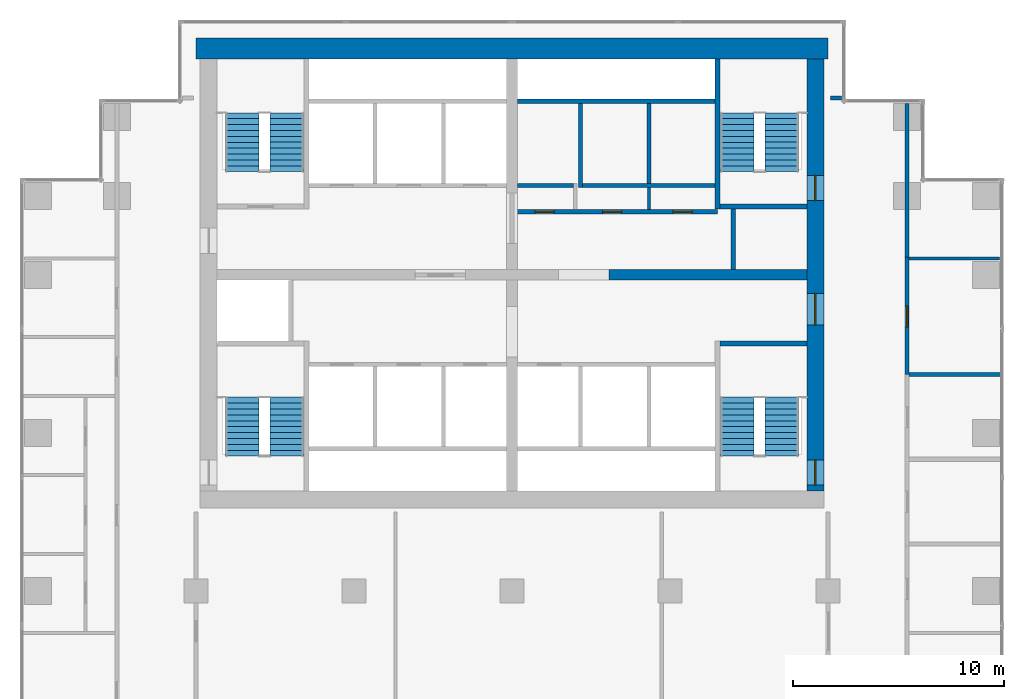
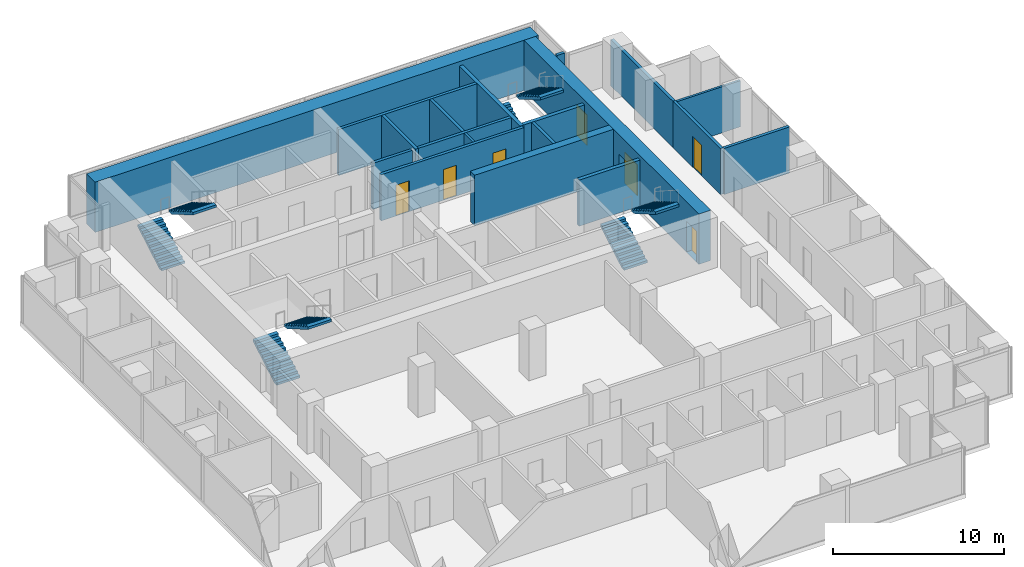
# One storey, part 9 of 10: 19 walls, 8 stair flights, 7 doors, 7 openings, 4 elements without a shape of their own.
"""IFC4 building model written with IfcOpenShell, lengths in metres."""

from ifc_helpers import new_model, si_unit, direction, frame, frame_2d, origin, place, context, subcontext, project, spatial, polyline, rectangle, outline, extrude, material, layer, layer_set, type_object, element, fill, aggregate, save


model = new_model("IFC4")

# Units and contexts
model_context = context("Model", 3, precision=1e-05, world=origin(), true_north=direction((0.0, 1.0)))
body_context = subcontext(model_context, "Body", "Model", "MODEL_VIEW")
ifc_project = project(units=[si_unit("LENGTHUNIT", "METRE"), si_unit("AREAUNIT", "SQUARE_METRE"), si_unit("VOLUMEUNIT", "CUBIC_METRE"), si_unit("PLANEANGLEUNIT", "RADIAN"), si_unit("MASSUNIT", "GRAM", prefix="KILO")], contexts=[model_context])

# Site, building, storey
site_placement = place(None, origin())
site = spatial("IfcSite", under=ifc_project, at=site_placement, CompositionType="ELEMENT")
building_placement = place(site_placement, origin())
building = spatial("IfcBuilding", under=site, at=building_placement, Name="Pilkhan Gate Tower", CompositionType="ELEMENT")
storey_placement = place(building_placement, frame((0.0, 0.0, 139.60009765625)))
storey = spatial("IfcBuildingStorey", under=building, at=storey_placement, Name="L35", CompositionType="ELEMENT", Elevation=139.60009765625)

# Wall
ifc_material_1 = material(Name="Concrete C60/75", Category="concrete")
ifc_layer_1 = layer(ifc_material_1, 1.0)
ifc_layer_set_1 = layer_set([ifc_layer_1], Name="Core wall CW1000 C60/75")
wall_type_1 = type_object("IfcWallType", Name="Core wall CW1000 C60/75", PredefinedType="SHEAR", material=ifc_layer_set_1)
wall_1_placement = place(storey_placement, frame((90.0, 93.25, 0.0), z_axis=(0.0, 0.0, 1.0), x_axis=(-1.0, 0.0, 0.0)))
element("IfcWall", 1, at=wall_1_placement, inside=storey, type_object=wall_type_1, Name="Core wall N L35", PredefinedType="SHEAR", context=body_context, shape_type="SweptSolid", body=[
    extrude(rectangle(XDim=30.0, YDim=1.0, at=frame_2d((15.0, 0.0))), origin(), (0.0, 0.0, 1.0), 3.599853515625),
])

# Wall, openings, doors
ifc_layer_2 = layer(ifc_material_1, 0.800048828125)
ifc_layer_set_2 = layer_set([ifc_layer_2], Name="Core wall CW800 C60/75")
wall_type_2 = type_object("IfcWallType", Name="Core wall CW800 C60/75", PredefinedType="SHEAR", material=ifc_layer_set_2)
wall_2_placement = place(storey_placement, frame((89.39990234375, 72.25, 0.0), z_axis=(0.0, 0.0, 1.0), x_axis=(0.0, 1.0, 0.0)))
wall_2 = element("IfcWall", 2, at=wall_2_placement, inside=storey, type_object=wall_type_2, Name="Core wall E L35", PredefinedType="SHEAR", context=body_context, shape_type="SweptSolid", body=[
    extrude(rectangle(XDim=20.5, YDim=0.800048828125, at=frame_2d((10.25, 0.0))), origin(), (0.0, 0.0, 1.0), 3.599853515625),
])
opening_1_placement = place(wall_2_placement, frame((0.27490234375, 0.0, 0.0)))
opening_1 = element("IfcOpeningElement", 3, at=opening_1_placement, cuts=wall_2, Name="Opening L35-03", PredefinedType="OPENING", context=body_context, shape_type="SweptSolid", body=[
    extrude(rectangle(XDim=1.199951171875, YDim=2.199951171875, at=frame_2d((0.60009765625, 1.10009765625))), frame((0.0, 0.409912109375, 0.0), z_axis=(0.0, -1.0, 0.0), x_axis=(1.0, 0.0, 0.0)), (0.0, 0.0, 1.0), 0.820068359375),
])
opening_2_placement = place(wall_2_placement, frame((13.77490234375, 0.0, 0.0)))
opening_2 = element("IfcOpeningElement", 4, at=opening_2_placement, cuts=wall_2, Name="Opening L35-05", PredefinedType="OPENING", context=body_context, shape_type="SweptSolid", body=[
    extrude(rectangle(XDim=1.199951171875, YDim=2.199951171875, at=frame_2d((0.60009765625, 1.10009765625))), frame((0.0, 0.409912109375, 0.0), z_axis=(0.0, -1.0, 0.0), x_axis=(1.0, 0.0, 0.0)), (0.0, 0.0, 1.0), 0.820068359375),
])
opening_3_placement = place(wall_2_placement, frame((7.875, 0.0, 0.0)))
opening_3 = element("IfcOpeningElement", 5, at=opening_3_placement, cuts=wall_2, Name="Opening L35-11", PredefinedType="OPENING", context=body_context, shape_type="SweptSolid", body=[
    extrude(rectangle(XDim=1.5, YDim=2.199951171875, at=frame_2d((0.75, 1.10009765625))), frame((0.0, 0.409912109375, 0.0), z_axis=(0.0, -1.0, 0.0), x_axis=(1.0, 0.0, 0.0)), (0.0, 0.0, 1.0), 0.820068359375),
])
ifc_material_2 = material(Name="Steel framed glazed door, 60 minute fire resisting", Category="steel")
door_type_1 = type_object("IfcDoorType", Name="Lobby door D09 1500x2200", OperationType="DOUBLE_DOOR_SINGLE_SWING", PredefinedType="DOOR", material=ifc_material_2)
door_1_placement = place(opening_3_placement, origin())
door_1 = element("IfcDoor", 6, at=door_1_placement, inside=storey, type_object=door_type_1, Name="Core door", OperationType="DOUBLE_DOOR_SINGLE_SWING", OverallHeight=2.199951171875, OverallWidth=1.5, PredefinedType="DOOR", context=body_context, shape_type="SweptSolid", body=[
    extrude(rectangle(XDim=1.5, YDim=2.199951171875, at=frame_2d((0.75, 1.10009765625))), frame((0.0, 0.02490234375, 0.0), z_axis=(0.0, -1.0, 0.0), x_axis=(1.0, 0.0, 0.0)), (0.0, 0.0, 1.0), 0.050048828125),
])
fill(opening_3, door_1)
ifc_material_3 = material(Name="Steel door, 120 minute fire resisting, panic bar", Category="steel")
door_type_2 = type_object("IfcDoorType", Name="Stair door D11 1200x2200", OperationType="SINGLE_SWING_LEFT", PredefinedType="DOOR", material=ifc_material_3)
door_2_placement = place(opening_1_placement, origin())
door_2 = element("IfcDoor", 7, at=door_2_placement, inside=storey, type_object=door_type_2, Name="Stair ST1 door", OperationType="SINGLE_SWING_RIGHT", OverallHeight=2.199951171875, OverallWidth=1.199951171875, PredefinedType="DOOR", context=body_context, shape_type="SweptSolid", body=[
    extrude(rectangle(XDim=1.199951171875, YDim=2.199951171875, at=frame_2d((0.60009765625, 1.10009765625))), frame((0.0, 0.02490234375, 0.0), z_axis=(0.0, -1.0, 0.0), x_axis=(1.0, 0.0, 0.0)), (0.0, 0.0, 1.0), 0.050048828125),
])
fill(opening_1, door_2)
door_3_placement = place(opening_2_placement, origin())
door_3 = element("IfcDoor", 8, at=door_3_placement, inside=storey, type_object=door_type_2, Name="Stair ST4 door", OperationType="SINGLE_SWING_RIGHT", OverallHeight=2.199951171875, OverallWidth=1.199951171875, PredefinedType="DOOR", context=body_context, shape_type="SweptSolid", body=[
    extrude(rectangle(XDim=1.199951171875, YDim=2.199951171875, at=frame_2d((0.60009765625, 1.10009765625))), frame((0.0, 0.02490234375, 0.0), z_axis=(0.0, -1.0, 0.0), x_axis=(1.0, 0.0, 0.0)), (0.0, 0.0, 1.0), 0.050048828125),
])
fill(opening_2, door_3)

# Wall
ifc_material_4 = material(Name="Dense blockwork", Category="masonry")
ifc_layer_3 = layer(ifc_material_4, 0.199951171875)
ifc_layer_set_3 = layer_set([ifc_layer_3], Name="Corridor wall FW200")
wall_type_3 = type_object("IfcWallType", Name="Corridor wall FW200", PredefinedType="PARTITIONING", material=ifc_layer_set_3)
wall_3_placement = place(storey_placement, frame((90.1201171875, 90.89990234375, 0.0), z_axis=(0.0, 0.0, 1.0), x_axis=(1.0, 0.0, 0.0)))
element("IfcWall", 9, at=wall_3_placement, inside=storey, type_object=wall_type_3, Name="Partition L35", PredefinedType="PARTITIONING", context=body_context, shape_type="SweptSolid", body=[
    extrude(rectangle(XDim=0.52490234375, YDim=0.199951171875, at=frame_2d((0.262451171875, 0.0))), origin(), (0.0, 0.0, 1.0), 3.2998046875),
])

# Wall, opening, door
wall_4_placement = place(storey_placement, frame((93.75, 77.777099609375, 0.0), z_axis=(0.0, 0.0, 1.0), x_axis=(0.0, 1.0, 0.0)))
wall_4 = element("IfcWall", 10, at=wall_4_placement, inside=storey, type_object=wall_type_3, Name="Partition L35", PredefinedType="PARTITIONING", context=body_context, shape_type="SweptSolid", body=[
    extrude(rectangle(XDim=5.577880859375, YDim=0.199951171875, at=frame_2d((2.7890625, 0.0))), origin(), (0.0, 0.0, 1.0), 3.2998046875),
])
opening_4_placement = place(wall_4_placement, frame((2.25, 0.0, 0.0)))
opening_4 = element("IfcOpeningElement", 11, at=opening_4_placement, cuts=wall_4, Name="Opening L35-37", PredefinedType="OPENING", context=body_context, shape_type="SweptSolid", body=[
    extrude(rectangle(XDim=1.0, YDim=2.199951171875, at=frame_2d((0.5, 1.10009765625))), frame((0.0, 0.10986328125, 0.0), z_axis=(0.0, -1.0, 0.0), x_axis=(1.0, 0.0, 0.0)), (0.0, 0.0, 1.0), 0.219970703125),
])
ifc_material_5 = material(Name="Timber flush door, 30 minute fire resisting", Category="wood")
door_type_3 = type_object("IfcDoorType", Name="Room door D03 1000x2200", OperationType="SINGLE_SWING_LEFT", PredefinedType="DOOR", material=ifc_material_5)
door_4_placement = place(opening_4_placement, origin())
door_4 = element("IfcDoor", 12, at=door_4_placement, inside=storey, type_object=door_type_3, Name="Room door", OperationType="SINGLE_SWING_RIGHT", OverallHeight=2.199951171875, OverallWidth=1.0, PredefinedType="DOOR", context=body_context, shape_type="SweptSolid", body=[
    extrude(rectangle(XDim=1.0, YDim=2.199951171875, at=frame_2d((0.5, 1.10009765625))), frame((0.0, 0.02490234375, 0.0), z_axis=(0.0, -1.0, 0.0), x_axis=(1.0, 0.0, 0.0)), (0.0, 0.0, 1.0), 0.050048828125),
])
fill(opening_4, door_4)

# Walls
wall_5_placement = place(storey_placement, frame((93.75, 83.31005859375, 0.0), z_axis=(0.0, 0.0, 1.0), x_axis=(0.0, 1.0, 0.0)))
element("IfcWall", 13, at=wall_5_placement, inside=storey, type_object=wall_type_3, Name="Partition L35", PredefinedType="PARTITIONING", context=body_context, shape_type="SweptSolid", body=[
    extrude(rectangle(XDim=7.3349609375, YDim=0.199951171875, at=frame_2d((3.66748046875, 0.0))), origin(), (0.0, 0.0, 1.0), 3.2998046875),
])
ifc_layer_4 = layer(ifc_material_4, 0.199951171875)
ifc_layer_set_4 = layer_set([ifc_layer_4], Name="Lobby wall LW200")
wall_type_4 = type_object("IfcWallType", Name="Lobby wall LW200", PredefinedType="PARTITIONING", material=ifc_layer_set_4)
wall_6_placement = place(storey_placement, frame((93.85009765625, 77.777099609375, 0.0), z_axis=(0.0, 0.0, 1.0), x_axis=(1.0, 0.0, 0.0)))
element("IfcWall", 14, at=wall_6_placement, inside=storey, type_object=wall_type_4, Name="Partition L35", PredefinedType="PARTITIONING", context=body_context, shape_type="SweptSolid", body=[
    extrude(rectangle(XDim=4.414794921875, YDim=0.199951171875, at=frame_2d((2.20751953125, 0.0))), origin(), (0.0, 0.0, 1.0), 3.2998046875),
])

# Wall, openings, doors
wall_7_placement = place(storey_placement, frame((75.10009765625, 85.5, 0.0), z_axis=(0.0, 0.0, 1.0), x_axis=(1.0, 0.0, 0.0)))
wall_7 = element("IfcWall", 15, at=wall_7_placement, inside=storey, type_object=wall_type_4, Name="Partition L35", PredefinedType="PARTITIONING", context=body_context, shape_type="SweptSolid", body=[
    extrude(rectangle(XDim=9.64990234375, YDim=0.199951171875, at=frame_2d((4.824951171875, 0.0))), origin(), (0.0, 0.0, 1.0), 3.2998046875),
])
opening_5_placement = place(wall_7_placement, frame((1.0, 0.0, 0.0)))
opening_5 = element("IfcOpeningElement", 16, at=opening_5_placement, cuts=wall_7, Name="Opening L35-13", PredefinedType="OPENING", context=body_context, shape_type="SweptSolid", body=[
    extrude(rectangle(XDim=0.89990234375, YDim=2.199951171875, at=frame_2d((0.449951171875, 1.10009765625))), frame((0.0, 0.10986328125, 0.0), z_axis=(0.0, -1.0, 0.0), x_axis=(1.0, 0.0, 0.0)), (0.0, 0.0, 1.0), 0.219970703125),
])
opening_6_placement = place(wall_7_placement, frame((4.199951171875, 0.0, 0.0)))
opening_6 = element("IfcOpeningElement", 17, at=opening_6_placement, cuts=wall_7, Name="Opening L35-14", PredefinedType="OPENING", context=body_context, shape_type="SweptSolid", body=[
    extrude(rectangle(XDim=0.89990234375, YDim=2.199951171875, at=frame_2d((0.449951171875, 1.10009765625))), frame((0.0, 0.10986328125, 0.0), z_axis=(0.0, -1.0, 0.0), x_axis=(1.0, 0.0, 0.0)), (0.0, 0.0, 1.0), 0.219970703125),
])
opening_7_placement = place(wall_7_placement, frame((7.550048828125, 0.0, 0.0)))
opening_7 = element("IfcOpeningElement", 18, at=opening_7_placement, cuts=wall_7, Name="Opening L35-15", PredefinedType="OPENING", context=body_context, shape_type="SweptSolid", body=[
    extrude(rectangle(XDim=0.89990234375, YDim=2.199951171875, at=frame_2d((0.449951171875, 1.10009765625))), frame((0.0, 0.10986328125, 0.0), z_axis=(0.0, -1.0, 0.0), x_axis=(1.0, 0.0, 0.0)), (0.0, 0.0, 1.0), 0.219970703125),
])
ifc_material_6 = material(Name="Timber flush door, 60 minute fire resisting, self-closing", Category="wood")
door_type_4 = type_object("IfcDoorType", Name="Store door D05 900x2200", OperationType="SINGLE_SWING_LEFT", PredefinedType="DOOR", material=ifc_material_6)
door_5_placement = place(opening_6_placement, origin())
door_5 = element("IfcDoor", 19, at=door_5_placement, inside=storey, type_object=door_type_4, Name="Store door", OperationType="SINGLE_SWING_LEFT", OverallHeight=2.199951171875, OverallWidth=0.89990234375, PredefinedType="DOOR", context=body_context, shape_type="SweptSolid", body=[
    extrude(rectangle(XDim=0.89990234375, YDim=2.199951171875, at=frame_2d((0.449951171875, 1.10009765625))), frame((0.0, 0.02490234375, 0.0), z_axis=(0.0, -1.0, 0.0), x_axis=(1.0, 0.0, 0.0)), (0.0, 0.0, 1.0), 0.050048828125),
])
fill(opening_6, door_5)
door_6_placement = place(opening_7_placement, origin())
door_6 = element("IfcDoor", 20, at=door_6_placement, inside=storey, type_object=door_type_4, Name="Store door", OperationType="SINGLE_SWING_RIGHT", OverallHeight=2.199951171875, OverallWidth=0.89990234375, PredefinedType="DOOR", context=body_context, shape_type="SweptSolid", body=[
    extrude(rectangle(XDim=0.89990234375, YDim=2.199951171875, at=frame_2d((0.449951171875, 1.10009765625))), frame((0.0, 0.02490234375, 0.0), z_axis=(0.0, -1.0, 0.0), x_axis=(1.0, 0.0, 0.0)), (0.0, 0.0, 1.0), 0.050048828125),
])
fill(opening_7, door_6)
door_type_5 = type_object("IfcDoorType", Name="Toilet door D06 900x2200", OperationType="SINGLE_SWING_LEFT", PredefinedType="DOOR", material=ifc_material_5)
door_7_placement = place(opening_5_placement, origin())
door_7 = element("IfcDoor", 21, at=door_7_placement, inside=storey, type_object=door_type_5, Name="Toilet door", OperationType="SINGLE_SWING_LEFT", OverallHeight=2.199951171875, OverallWidth=0.89990234375, PredefinedType="DOOR", context=body_context, shape_type="SweptSolid", body=[
    extrude(rectangle(XDim=0.89990234375, YDim=2.199951171875, at=frame_2d((0.449951171875, 1.10009765625))), frame((0.0, 0.02490234375, 0.0), z_axis=(0.0, -1.0, 0.0), x_axis=(1.0, 0.0, 0.0)), (0.0, 0.0, 1.0), 0.050048828125),
])
fill(opening_5, door_7)

# Walls
ifc_material_7 = material(Name="Blockwork partition, plastered both sides", Category="masonry")
ifc_layer_5 = layer(ifc_material_7, 0.14990234375)
ifc_layer_set_5 = layer_set([ifc_layer_5], Name="Partition PW150")
wall_type_5 = type_object("IfcWallType", Name="Partition PW150", PredefinedType="PARTITIONING", material=ifc_layer_set_5)
wall_8_placement = place(storey_placement, frame((93.85009765625, 83.280029296875, 0.0), z_axis=(0.0, 0.0, 1.0), x_axis=(1.0, 0.0, 0.0)))
element("IfcWall", 22, at=wall_8_placement, inside=storey, type_object=wall_type_5, Name="Partition L35", PredefinedType="PARTITIONING", context=body_context, shape_type="SweptSolid", body=[
    extrude(rectangle(XDim=4.294921875, YDim=0.14990234375, at=frame_2d((2.1474609375, 0.0))), origin(), (0.0, 0.0, 1.0), 3.2998046875),
])
wall_9_placement = place(storey_placement, frame((81.5, 85.60009765625, 0.0), z_axis=(0.0, 0.0, 1.0), x_axis=(0.0, 1.0, 0.0)))
element("IfcWall", 23, at=wall_9_placement, inside=storey, type_object=wall_type_5, Name="Partition L35", PredefinedType="PARTITIONING", context=body_context, shape_type="SweptSolid", body=[
    extrude(rectangle(XDim=1.0498046875, YDim=0.14990234375, at=frame_2d((0.52490234375, 0.0))), origin(), (0.0, 0.0, 1.0), 3.2998046875),
])
ifc_material_8 = material(Name="Reinforced blockwork shaft wall, 120 minute fire resisting", Category="masonry")
ifc_layer_6 = layer(ifc_material_8, 0.199951171875)
ifc_layer_set_6 = layer_set([ifc_layer_6], Name="Shaft wall SW200")
wall_type_6 = type_object("IfcWallType", Name="Shaft wall SW200", PredefinedType="PARTITIONING", material=ifc_layer_set_6)
wall_10_placement = place(storey_placement, frame((75.260009765625, 86.75, 0.0), z_axis=(0.0, 0.0, 1.0), x_axis=(1.0, 0.0, 0.0)))
element("IfcWall", 24, at=wall_10_placement, inside=storey, type_object=wall_type_6, Name="Partition L35", PredefinedType="PARTITIONING", context=body_context, shape_type="SweptSolid", body=[
    extrude(rectangle(XDim=2.6650390625, YDim=0.199951171875, at=frame_2d((1.33251953125, 0.0))), origin(), (0.0, 0.0, 1.0), 3.2998046875),
])
wall_11_placement = place(storey_placement, frame((78.35009765625, 86.75, 0.0), z_axis=(0.0, 0.0, 1.0), x_axis=(1.0, 0.0, 0.0)))
element("IfcWall", 25, at=wall_11_placement, inside=storey, type_object=wall_type_6, Name="Partition L35", PredefinedType="PARTITIONING", context=body_context, shape_type="SweptSolid", body=[
    extrude(rectangle(XDim=6.27490234375, YDim=0.199951171875, at=frame_2d((3.137451171875, 0.0))), origin(), (0.0, 0.0, 1.0), 3.2998046875),
])
wall_12_placement = place(storey_placement, frame((75.260009765625, 90.75, 0.0), z_axis=(0.0, 0.0, 1.0), x_axis=(1.0, 0.0, 0.0)))
element("IfcWall", 26, at=wall_12_placement, inside=storey, type_object=wall_type_6, Name="Partition L35", PredefinedType="PARTITIONING", context=body_context, shape_type="SweptSolid", body=[
    extrude(rectangle(XDim=9.364990234375, YDim=0.199951171875, at=frame_2d((4.6826171875, 0.0))), origin(), (0.0, 0.0, 1.0), 3.2998046875),
])
wall_13_placement = place(storey_placement, frame((78.25, 86.64990234375, 0.0), z_axis=(0.0, 0.0, 1.0), x_axis=(0.0, 1.0, 0.0)))
element("IfcWall", 27, at=wall_13_placement, inside=storey, type_object=wall_type_6, Name="Partition L35", PredefinedType="PARTITIONING", context=body_context, shape_type="SweptSolid", body=[
    extrude(rectangle(XDim=4.0, YDim=0.199951171875, at=frame_2d((2.0, 0.0))), origin(), (0.0, 0.0, 1.0), 3.2998046875),
])
wall_14_placement = place(storey_placement, frame((81.5, 86.85009765625, 0.0), z_axis=(0.0, 0.0, 1.0), x_axis=(0.0, 1.0, 0.0)))
element("IfcWall", 28, at=wall_14_placement, inside=storey, type_object=wall_type_6, Name="Partition L35", PredefinedType="PARTITIONING", context=body_context, shape_type="SweptSolid", body=[
    extrude(rectangle(XDim=3.7998046875, YDim=0.199951171875, at=frame_2d((1.89990234375, 0.0))), origin(), (0.0, 0.0, 1.0), 3.2998046875),
])
wall_15_placement = place(storey_placement, frame((85.5, 82.760009765625, 0.0), z_axis=(0.0, 0.0, 1.0), x_axis=(0.0, 1.0, 0.0)))
element("IfcWall", 29, at=wall_15_placement, inside=storey, type_object=wall_type_6, Name="Partition L35", PredefinedType="PARTITIONING", context=body_context, shape_type="SweptSolid", body=[
    extrude(rectangle(XDim=2.864990234375, YDim=0.199951171875, at=frame_2d((1.4326171875, 0.0))), origin(), (0.0, 0.0, 1.0), 3.2998046875),
])
ifc_layer_7 = layer(ifc_material_1, 0.5)
ifc_layer_set_7 = layer_set([ifc_layer_7], Name="Spine wall SW500 C60/75")
wall_type_7 = type_object("IfcWallType", Name="Spine wall SW500 C60/75", PredefinedType="SHEAR", material=ifc_layer_set_7)
wall_16_placement = place(storey_placement, frame((79.60009765625, 82.5, 0.0), z_axis=(0.0, 0.0, 1.0), x_axis=(1.0, 0.0, 0.0)))
element("IfcWall", 30, at=wall_16_placement, inside=storey, type_object=wall_type_7, Name="Spine wall SP-EW3 L35", PredefinedType="SHEAR", context=body_context, shape_type="SweptSolid", body=[
    extrude(rectangle(XDim=9.39990234375, YDim=0.5, at=frame_2d((4.699951171875, 0.0))), origin(), (0.0, 0.0, 1.0), 3.599853515625),
])
ifc_material_9 = material(Name="Reinforced blockwork, 120 minute fire resisting", Category="masonry")
ifc_layer_8 = layer(ifc_material_9, 0.25)
ifc_layer_set_8 = layer_set([ifc_layer_8], Name="Stair enclosure wall SE250")
wall_type_8 = type_object("IfcWallType", Name="Stair enclosure wall SE250", PredefinedType="PARTITIONING", material=ifc_layer_set_8)
for number, where, z_axis, x_axis, name in (
    (31, (84.875, 79.25, 0.0), (0.0, 0.0, 1.0), (1.0, 0.0, 0.0), "Partition L35"),
    (32, (84.875, 85.75, 0.0), (0.0, 0.0, 1.0), (1.0, 0.0, 0.0), "Partition L35"),
):
    element("IfcWall", number, at=place(storey_placement, frame(where, z_axis=z_axis, x_axis=x_axis)), inside=storey, type_object=wall_type_8, Name=name, PredefinedType="PARTITIONING", context=body_context, shape_type="SweptSolid", body=[
        extrude(rectangle(XDim=4.125, YDim=0.25, at=frame_2d((2.0625, 0.0))), origin(), (0.0, 0.0, 1.0), 3.2998046875),
    ])
wall_17_placement = place(storey_placement, frame((84.75, 85.625, 0.0), z_axis=(0.0, 0.0, 1.0), x_axis=(0.0, 1.0, 0.0)))
element("IfcWall", 33, at=wall_17_placement, inside=storey, type_object=wall_type_8, Name="Partition L35", PredefinedType="PARTITIONING", context=body_context, shape_type="SweptSolid", body=[
    extrude(rectangle(XDim=7.114990234375, YDim=0.25, at=frame_2d((3.5576171875, 0.0))), origin(), (0.0, 0.0, 1.0), 3.2998046875),
])

# Stair, stair flights
ifc_material_10 = material(Name="Concrete C40/50 precast", Category="concrete")
stair_type_1 = type_object("IfcStairType", Name="Stair ST1 164x280", PredefinedType="HALF_TURN_STAIR", material=ifc_material_10)
stair_1_placement = place(storey_placement, origin())
stair_1 = element("IfcStair", 34, at=stair_1_placement, inside=storey, type_object=stair_type_1, Name="Stair ST1 L35", PredefinedType="HALF_TURN_STAIR")
stair_flight_type_1 = type_object("IfcStairFlightType", Name="Stair flight ST1 164x280x11", PredefinedType="STRAIGHT", material=ifc_material_10)
stair_flight_1_placement = place(storey_placement, frame((85.68994140625, 73.89990234375, 0.0), z_axis=(0.0, 0.0, 1.0), x_axis=(0.0, 1.0, 0.0)))
stair_flight_1 = element("IfcStairFlight", 35, at=stair_flight_1_placement, type_object=stair_flight_type_1, Name="ST1 flight 1", NumberOfRisers=11, NumberOfTreads=10, PredefinedType="STRAIGHT", RiserHeight=0.163636364, TreadLength=0.28, context=body_context, shape_type="SweptSolid", body=[
    extrude(outline(polyline([(0.0, 0.0), (0.0, 0.16357421875), (0.280029296875, 0.16357421875), (0.280029296875, 0.327392578125), (0.56005859375, 0.327392578125), (0.56005859375, 0.490966796875), (0.840087890625, 0.490966796875), (0.840087890625, 0.654541015625), (1.1201171875, 0.654541015625), (1.1201171875, 0.818115234375), (1.39990234375, 0.818115234375), (1.39990234375, 0.98193359375), (1.679931640625, 0.98193359375), (1.679931640625, 1.1455078125), (1.9599609375, 1.1455078125), (1.9599609375, 1.30908203125), (2.239990234375, 1.30908203125), (2.239990234375, 1.47265625), (2.52001953125, 1.47265625), (2.52001953125, 1.636474609375), (2.800048828125, 1.636474609375), (2.800048828125, 1.800048828125), (2.800048828125, 1.462646484375), (0.297119140625, 0.0), (0.0, 0.0)])), frame((0.0, 0.7900390625, 0.0), z_axis=(0.0, -1.0, 0.0), x_axis=(1.0, 0.0, 0.0)), (0.0, 0.0, 1.0), 1.580078125),
])
stair_flight_2_placement = place(storey_placement, frame((87.81005859375, 76.699951171875, 1.7998046875), z_axis=(0.0, 0.0, 1.0), x_axis=(0.0, -1.0, 0.0)))
stair_flight_2 = element("IfcStairFlight", 36, at=stair_flight_2_placement, type_object=stair_flight_type_1, Name="ST1 flight 2", NumberOfRisers=11, NumberOfTreads=10, PredefinedType="STRAIGHT", RiserHeight=0.163636364, TreadLength=0.28, context=body_context, shape_type="SweptSolid", body=[
    extrude(outline(polyline([(0.0, 0.0), (0.0, 0.16357421875), (0.280029296875, 0.16357421875), (0.280029296875, 0.327392578125), (0.56005859375, 0.327392578125), (0.56005859375, 0.490966796875), (0.840087890625, 0.490966796875), (0.840087890625, 0.654541015625), (1.1201171875, 0.654541015625), (1.1201171875, 0.818115234375), (1.39990234375, 0.818115234375), (1.39990234375, 0.98193359375), (1.679931640625, 0.98193359375), (1.679931640625, 1.1455078125), (1.9599609375, 1.1455078125), (1.9599609375, 1.30908203125), (2.239990234375, 1.30908203125), (2.239990234375, 1.47265625), (2.52001953125, 1.47265625), (2.52001953125, 1.636474609375), (2.800048828125, 1.636474609375), (2.800048828125, 1.800048828125), (2.800048828125, 1.462646484375), (0.297119140625, 0.0), (0.0, 0.0)])), frame((0.0, 0.7900390625, 0.0), z_axis=(0.0, -1.0, 0.0), x_axis=(1.0, 0.0, 0.0)), (0.0, 0.0, 1.0), 1.580078125),
])
aggregate(stair_1, [stair_flight_1, stair_flight_2])

stair_type_2 = type_object("IfcStairType", Name="Stair ST2 164x280", PredefinedType="HALF_TURN_STAIR", material=ifc_material_10)
stair_2_placement = place(storey_placement, origin())
stair_2 = element("IfcStair", 37, at=stair_2_placement, inside=storey, type_object=stair_type_2, Name="Stair ST2 L35", PredefinedType="HALF_TURN_STAIR")
stair_flight_type_2 = type_object("IfcStairFlightType", Name="Stair flight ST2 164x280x11", PredefinedType="STRAIGHT", material=ifc_material_10)
stair_flight_3_placement = place(storey_placement, frame((62.18994140625, 73.89990234375, 0.0), z_axis=(0.0, 0.0, 1.0), x_axis=(0.0, 1.0, 0.0)))
stair_flight_3 = element("IfcStairFlight", 38, at=stair_flight_3_placement, type_object=stair_flight_type_2, Name="ST2 flight 1", NumberOfRisers=11, NumberOfTreads=10, PredefinedType="STRAIGHT", RiserHeight=0.163636364, TreadLength=0.28, context=body_context, shape_type="SweptSolid", body=[
    extrude(outline(polyline([(0.0, 0.0), (0.0, 0.16357421875), (0.280029296875, 0.16357421875), (0.280029296875, 0.327392578125), (0.56005859375, 0.327392578125), (0.56005859375, 0.490966796875), (0.840087890625, 0.490966796875), (0.840087890625, 0.654541015625), (1.1201171875, 0.654541015625), (1.1201171875, 0.818115234375), (1.39990234375, 0.818115234375), (1.39990234375, 0.98193359375), (1.679931640625, 0.98193359375), (1.679931640625, 1.1455078125), (1.9599609375, 1.1455078125), (1.9599609375, 1.30908203125), (2.239990234375, 1.30908203125), (2.239990234375, 1.47265625), (2.52001953125, 1.47265625), (2.52001953125, 1.636474609375), (2.800048828125, 1.636474609375), (2.800048828125, 1.800048828125), (2.800048828125, 1.462646484375), (0.297119140625, 0.0), (0.0, 0.0)])), frame((0.0, 0.7900390625, 0.0), z_axis=(0.0, -1.0, 0.0), x_axis=(1.0, 0.0, 0.0)), (0.0, 0.0, 1.0), 1.580078125),
])
stair_flight_4_placement = place(storey_placement, frame((64.31005859375, 76.699951171875, 1.7998046875), z_axis=(0.0, 0.0, 1.0), x_axis=(0.0, -1.0, 0.0)))
stair_flight_4 = element("IfcStairFlight", 39, at=stair_flight_4_placement, type_object=stair_flight_type_2, Name="ST2 flight 2", NumberOfRisers=11, NumberOfTreads=10, PredefinedType="STRAIGHT", RiserHeight=0.163636364, TreadLength=0.28, context=body_context, shape_type="SweptSolid", body=[
    extrude(outline(polyline([(0.0, 0.0), (0.0, 0.16357421875), (0.280029296875, 0.16357421875), (0.280029296875, 0.327392578125), (0.56005859375, 0.327392578125), (0.56005859375, 0.490966796875), (0.840087890625, 0.490966796875), (0.840087890625, 0.654541015625), (1.1201171875, 0.654541015625), (1.1201171875, 0.818115234375), (1.39990234375, 0.818115234375), (1.39990234375, 0.98193359375), (1.679931640625, 0.98193359375), (1.679931640625, 1.1455078125), (1.9599609375, 1.1455078125), (1.9599609375, 1.30908203125), (2.239990234375, 1.30908203125), (2.239990234375, 1.47265625), (2.52001953125, 1.47265625), (2.52001953125, 1.636474609375), (2.800048828125, 1.636474609375), (2.800048828125, 1.800048828125), (2.800048828125, 1.462646484375), (0.297119140625, 0.0), (0.0, 0.0)])), frame((0.0, 0.7900390625, 0.0), z_axis=(0.0, -1.0, 0.0), x_axis=(1.0, 0.0, 0.0)), (0.0, 0.0, 1.0), 1.580078125),
])
aggregate(stair_2, [stair_flight_3, stair_flight_4])

stair_type_3 = type_object("IfcStairType", Name="Stair ST3 164x280", PredefinedType="HALF_TURN_STAIR", material=ifc_material_10)
stair_3_placement = place(storey_placement, origin())
stair_3 = element("IfcStair", 40, at=stair_3_placement, inside=storey, type_object=stair_type_3, Name="Stair ST3 L35", PredefinedType="HALF_TURN_STAIR")
stair_flight_type_3 = type_object("IfcStairFlightType", Name="Stair flight ST3 164x280x11", PredefinedType="STRAIGHT", material=ifc_material_10)
stair_flight_5_placement = place(storey_placement, frame((62.18994140625, 87.39990234375, 0.0), z_axis=(0.0, 0.0, 1.0), x_axis=(0.0, 1.0, 0.0)))
stair_flight_5 = element("IfcStairFlight", 41, at=stair_flight_5_placement, type_object=stair_flight_type_3, Name="ST3 flight 1", NumberOfRisers=11, NumberOfTreads=10, PredefinedType="STRAIGHT", RiserHeight=0.163636364, TreadLength=0.28, context=body_context, shape_type="SweptSolid", body=[
    extrude(outline(polyline([(0.0, 0.0), (0.0, 0.16357421875), (0.280029296875, 0.16357421875), (0.280029296875, 0.327392578125), (0.56005859375, 0.327392578125), (0.56005859375, 0.490966796875), (0.840087890625, 0.490966796875), (0.840087890625, 0.654541015625), (1.1201171875, 0.654541015625), (1.1201171875, 0.818115234375), (1.39990234375, 0.818115234375), (1.39990234375, 0.98193359375), (1.679931640625, 0.98193359375), (1.679931640625, 1.1455078125), (1.9599609375, 1.1455078125), (1.9599609375, 1.30908203125), (2.239990234375, 1.30908203125), (2.239990234375, 1.47265625), (2.52001953125, 1.47265625), (2.52001953125, 1.636474609375), (2.800048828125, 1.636474609375), (2.800048828125, 1.800048828125), (2.800048828125, 1.462646484375), (0.297119140625, 0.0), (0.0, 0.0)])), frame((0.0, 0.7900390625, 0.0), z_axis=(0.0, -1.0, 0.0), x_axis=(1.0, 0.0, 0.0)), (0.0, 0.0, 1.0), 1.580078125),
])
stair_flight_6_placement = place(storey_placement, frame((64.31005859375, 90.199951171875, 1.7998046875), z_axis=(0.0, 0.0, 1.0), x_axis=(0.0, -1.0, 0.0)))
stair_flight_6 = element("IfcStairFlight", 42, at=stair_flight_6_placement, type_object=stair_flight_type_3, Name="ST3 flight 2", NumberOfRisers=11, NumberOfTreads=10, PredefinedType="STRAIGHT", RiserHeight=0.163636364, TreadLength=0.28, context=body_context, shape_type="SweptSolid", body=[
    extrude(outline(polyline([(0.0, 0.0), (0.0, 0.16357421875), (0.280029296875, 0.16357421875), (0.280029296875, 0.327392578125), (0.56005859375, 0.327392578125), (0.56005859375, 0.490966796875), (0.840087890625, 0.490966796875), (0.840087890625, 0.654541015625), (1.1201171875, 0.654541015625), (1.1201171875, 0.818115234375), (1.39990234375, 0.818115234375), (1.39990234375, 0.98193359375), (1.679931640625, 0.98193359375), (1.679931640625, 1.1455078125), (1.9599609375, 1.1455078125), (1.9599609375, 1.30908203125), (2.239990234375, 1.30908203125), (2.239990234375, 1.47265625), (2.52001953125, 1.47265625), (2.52001953125, 1.636474609375), (2.800048828125, 1.636474609375), (2.800048828125, 1.800048828125), (2.800048828125, 1.462646484375), (0.297119140625, 0.0), (0.0, 0.0)])), frame((0.0, 0.7900390625, 0.0), z_axis=(0.0, -1.0, 0.0), x_axis=(1.0, 0.0, 0.0)), (0.0, 0.0, 1.0), 1.580078125),
])
aggregate(stair_3, [stair_flight_5, stair_flight_6])

stair_type_4 = type_object("IfcStairType", Name="Stair ST4 164x280", PredefinedType="HALF_TURN_STAIR", material=ifc_material_10)
stair_4_placement = place(storey_placement, origin())
stair_4 = element("IfcStair", 43, at=stair_4_placement, inside=storey, type_object=stair_type_4, Name="Stair ST4 L35", PredefinedType="HALF_TURN_STAIR")
stair_flight_type_4 = type_object("IfcStairFlightType", Name="Stair flight ST4 164x280x11", PredefinedType="STRAIGHT", material=ifc_material_10)
stair_flight_7_placement = place(storey_placement, frame((85.68994140625, 87.39990234375, 0.0), z_axis=(0.0, 0.0, 1.0), x_axis=(0.0, 1.0, 0.0)))
stair_flight_7 = element("IfcStairFlight", 44, at=stair_flight_7_placement, type_object=stair_flight_type_4, Name="ST4 flight 1", NumberOfRisers=11, NumberOfTreads=10, PredefinedType="STRAIGHT", RiserHeight=0.163636364, TreadLength=0.28, context=body_context, shape_type="SweptSolid", body=[
    extrude(outline(polyline([(0.0, 0.0), (0.0, 0.16357421875), (0.280029296875, 0.16357421875), (0.280029296875, 0.327392578125), (0.56005859375, 0.327392578125), (0.56005859375, 0.490966796875), (0.840087890625, 0.490966796875), (0.840087890625, 0.654541015625), (1.1201171875, 0.654541015625), (1.1201171875, 0.818115234375), (1.39990234375, 0.818115234375), (1.39990234375, 0.98193359375), (1.679931640625, 0.98193359375), (1.679931640625, 1.1455078125), (1.9599609375, 1.1455078125), (1.9599609375, 1.30908203125), (2.239990234375, 1.30908203125), (2.239990234375, 1.47265625), (2.52001953125, 1.47265625), (2.52001953125, 1.636474609375), (2.800048828125, 1.636474609375), (2.800048828125, 1.800048828125), (2.800048828125, 1.462646484375), (0.297119140625, 0.0), (0.0, 0.0)])), frame((0.0, 0.7900390625, 0.0), z_axis=(0.0, -1.0, 0.0), x_axis=(1.0, 0.0, 0.0)), (0.0, 0.0, 1.0), 1.580078125),
])
stair_flight_8_placement = place(storey_placement, frame((87.81005859375, 90.199951171875, 1.7998046875), z_axis=(0.0, 0.0, 1.0), x_axis=(0.0, -1.0, 0.0)))
stair_flight_8 = element("IfcStairFlight", 45, at=stair_flight_8_placement, type_object=stair_flight_type_4, Name="ST4 flight 2", NumberOfRisers=11, NumberOfTreads=10, PredefinedType="STRAIGHT", RiserHeight=0.163636364, TreadLength=0.28, context=body_context, shape_type="SweptSolid", body=[
    extrude(outline(polyline([(0.0, 0.0), (0.0, 0.16357421875), (0.280029296875, 0.16357421875), (0.280029296875, 0.327392578125), (0.56005859375, 0.327392578125), (0.56005859375, 0.490966796875), (0.840087890625, 0.490966796875), (0.840087890625, 0.654541015625), (1.1201171875, 0.654541015625), (1.1201171875, 0.818115234375), (1.39990234375, 0.818115234375), (1.39990234375, 0.98193359375), (1.679931640625, 0.98193359375), (1.679931640625, 1.1455078125), (1.9599609375, 1.1455078125), (1.9599609375, 1.30908203125), (2.239990234375, 1.30908203125), (2.239990234375, 1.47265625), (2.52001953125, 1.47265625), (2.52001953125, 1.636474609375), (2.800048828125, 1.636474609375), (2.800048828125, 1.800048828125), (2.800048828125, 1.462646484375), (0.297119140625, 0.0), (0.0, 0.0)])), frame((0.0, 0.7900390625, 0.0), z_axis=(0.0, -1.0, 0.0), x_axis=(1.0, 0.0, 0.0)), (0.0, 0.0, 1.0), 1.580078125),
])
aggregate(stair_4, [stair_flight_7, stair_flight_8])

save(model, "model.ifc")
